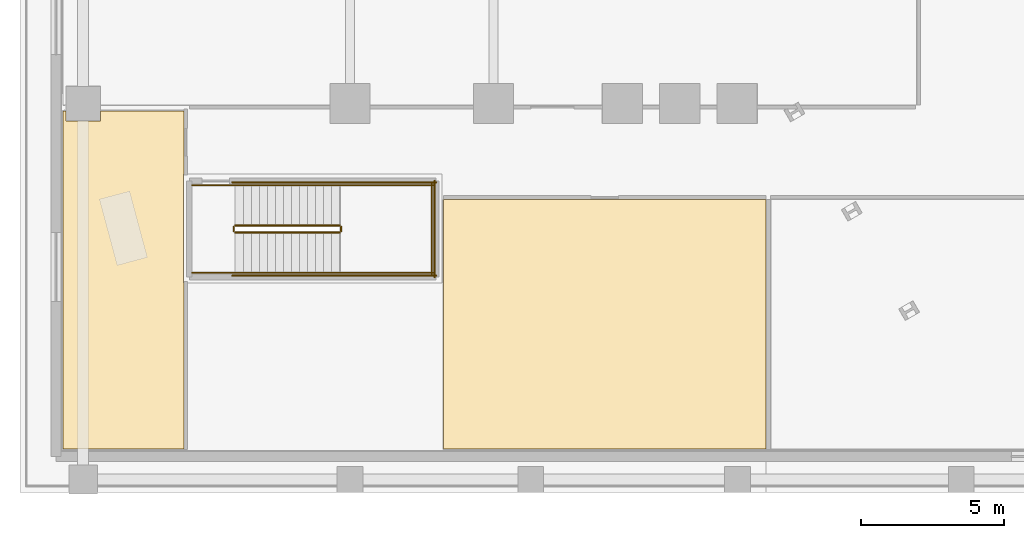
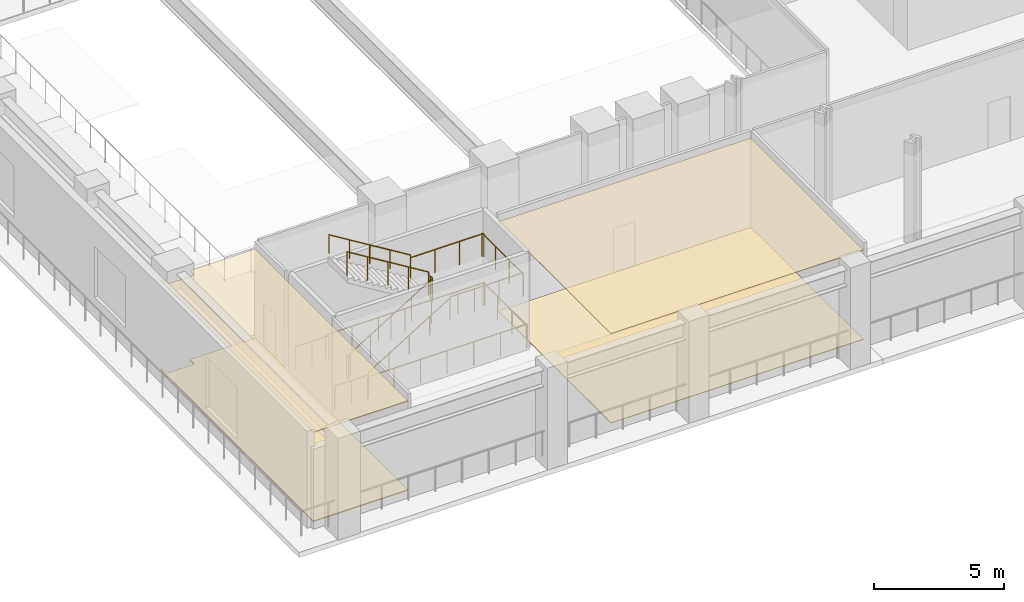
# One storey, part 9 of 19: 14 railings, 4 coverings.
"""IFC4 building model written with IfcOpenShell, lengths in metres."""

import ifcopenshell
import ifcopenshell.guid

model = None  # the IFC model being written
_history = None  # IfcOwnerHistory: only IFC2X3 demands one
_inside = {}  # id of a spatial element -> (the spatial element, [elements in it])
_under = {}  # id of a project, library or spatial element -> (it, [spatial elements below it])
_declared = {}  # id of a project -> (the project, [libraries it declares])
_typed = {}  # id of a type object -> (the type object, [elements of that type])
_made_of = {}  # id of a material, layer set ... -> (it, [elements and type objects made of it])


def new_model(schema):
    """Start an empty IFC model of exactly this schema.

    Asked for "IFC4X3", IfcOpenShell would pick the latest addendum, in which some entities
    have other attributes; the version numbers below select the first issue.
    IFC2X3 requires an IfcOwnerHistory on every rooted entity: one is made here for all.
    """
    global model, _history
    if schema == "IFC4X3":
        model = ifcopenshell.file(schema_version=(4, 3, 0, 0))
    else:
        model = ifcopenshell.file(schema=schema)
    _inside.clear()
    _under.clear()
    _declared.clear()
    _typed.clear()
    _made_of.clear()
    _history = None
    if model.schema == "IFC2X3":
        org = make("IfcOrganization", Name="unknown")
        user = make(
            "IfcPersonAndOrganization",
            ThePerson=make("IfcPerson", FamilyName="unknown"),
            TheOrganization=org,
        )
        app = make(
            "IfcApplication",
            ApplicationDeveloper=org,
            Version="unknown",
            ApplicationFullName="unknown",
            ApplicationIdentifier="unknown",
        )
        _history = make(
            "IfcOwnerHistory",
            OwningUser=user,
            OwningApplication=app,
            ChangeAction="ADDED",
            CreationDate=0,
        )
    return model


def make(cls, **values):
    """One entity of the class cls with the attributes given. An attribute that is None is left unset."""
    return model.create_entity(
        cls, **{name: value for name, value in values.items() if value is not None}
    )


def rooted(cls, **values):
    """An entity with a GlobalId (a new one), such as an element, a storey or a relation."""
    return make(cls, GlobalId=ifcopenshell.guid.new(), OwnerHistory=_history, **values)


def si_unit(unit_type, name, prefix=None):
    """IfcSIUnit, for example si_unit("LENGTHUNIT", "METRE", prefix="MILLI")."""
    return make("IfcSIUnit", UnitType=unit_type, Prefix=prefix, Name=name)


def assignment(units):
    """IfcUnitAssignment: the units of a project."""
    return None if units is None else make("IfcUnitAssignment", Units=units)


def point(xyz):
    """IfcCartesianPoint."""
    return None if xyz is None else make("IfcCartesianPoint", Coordinates=xyz)


def direction(xyz):
    """IfcDirection."""
    return None if xyz is None else make("IfcDirection", DirectionRatios=xyz)


def frame(location, z_axis=None, x_axis=None):
    """IfcAxis2Placement3D, a coordinate frame: its origin and axes. An axis left out is left unset."""
    return make(
        "IfcAxis2Placement3D",
        Location=point(location),
        Axis=direction(z_axis),
        RefDirection=direction(x_axis),
    )


def frame_2d(location, x_axis=None):
    """IfcAxis2Placement2D, a coordinate frame in the plane: its origin and x axis."""
    return make(
        "IfcAxis2Placement2D", Location=point(location), RefDirection=direction(x_axis)
    )


def origin():
    """The frame at (0, 0, 0) with its axes left unset."""
    return frame((0.0, 0.0, 0.0))


def origin_2d():
    """The frame at (0, 0) in the plane with its x axis left unset."""
    return frame_2d((0.0, 0.0))


def place(relative_to, where):
    """IfcLocalPlacement: puts the frame where relative to a parent placement (None: the world)."""
    return make(
        "IfcLocalPlacement", PlacementRelTo=relative_to, RelativePlacement=where
    )


def context(
    kind, dimensions, precision=None, world=None, true_north=None, identifier=None
):
    """IfcGeometricRepresentationContext, for example the 3D "Model" context."""
    return make(
        "IfcGeometricRepresentationContext",
        ContextIdentifier=identifier,
        ContextType=kind,
        CoordinateSpaceDimension=dimensions,
        Precision=precision,
        WorldCoordinateSystem=world,
        TrueNorth=true_north,
    )


def subcontext(parent, identifier, kind, view, scale=None):
    """IfcGeometricRepresentationSubContext, for example "Body" below "Model"."""
    return make(
        "IfcGeometricRepresentationSubContext",
        ContextIdentifier=identifier,
        ContextType=kind,
        ParentContext=parent,
        TargetScale=scale,
        TargetView=view,
    )


def project(units=None, contexts=None):
    """IfcProject with its units and contexts."""
    return rooted(
        "IfcProject",
        Name="project",
        RepresentationContexts=contexts,
        UnitsInContext=assignment(units),
    )


def spatial(cls, under=None, at=None, **own):
    """A site, building, storey or space (cls), placed at a placement, below another one or the project."""
    s = rooted(cls, ObjectPlacement=at, **own)
    if under is not None:
        _under.setdefault(under.id(), (under, []))[1].append(s)
    return s


def polyline(points):
    """IfcPolyline through the points."""
    return make("IfcPolyline", Points=[point(p) for p in points])


def profile(cls, at=None, kind="AREA", **sizes):
    """A parametric profile (cls). Its sizes go by their IFC names, for example OverallWidth=200.0."""
    return make(cls, ProfileType=kind, Position=at, **sizes)


def circle(**sizes):
    """IfcCircleProfileDef."""
    return profile("IfcCircleProfileDef", **sizes)


def outline(outer, holes=None, kind="AREA"):
    """IfcArbitraryClosedProfileDef: a profile drawn as a closed curve; with holes, ...WithVoids."""
    if holes is None:
        return make("IfcArbitraryClosedProfileDef", ProfileType=kind, OuterCurve=outer)
    return make(
        "IfcArbitraryProfileDefWithVoids",
        ProfileType=kind,
        OuterCurve=outer,
        InnerCurves=holes,
    )


def extrude(swept, where, along, depth):
    """IfcExtrudedAreaSolid: the profile swept, set in the frame where, extruded along a direction by depth."""
    return make(
        "IfcExtrudedAreaSolid",
        SweptArea=swept,
        Position=where,
        ExtrudedDirection=direction(along),
        Depth=depth,
    )


def shape(context_of_items, identifier, shape_type, items):
    """IfcShapeRepresentation: the items that make up one representation, for example the "Body"."""
    return make(
        "IfcShapeRepresentation",
        ContextOfItems=context_of_items,
        RepresentationIdentifier=identifier,
        RepresentationType=shape_type,
        Items=items,
    )


def material(Name=None, Category=None):
    """IfcMaterial."""
    return make("IfcMaterial", Name=Name, Category=Category)


def layer(
    of_material, thickness, ventilated=None, Name=None, Category=None, Priority=None
):
    """IfcMaterialLayer: one layer of a wall or slab, of a material (None: an air gap)."""
    return make(
        "IfcMaterialLayer",
        Material=of_material,
        LayerThickness=thickness,
        IsVentilated=ventilated,
        Name=Name,
        Category=Category,
        Priority=Priority,
    )


def layer_set(layers, Name=None):
    """IfcMaterialLayerSet."""
    return make("IfcMaterialLayerSet", MaterialLayers=layers, LayerSetName=Name)


def made_of(thing, what):
    """Note that an element or type object is made of a material, layer set ...; save() writes the relation."""
    if what is not None:
        _made_of.setdefault(what.id(), (what, []))[1].append(thing)
    return thing


def type_object(cls, material=None, **own):
    """A type object (cls), such as IfcWallType, which elements share."""
    return made_of(rooted(cls, **own), material)


def element(
    cls,
    number,
    at=None,
    inside=None,
    cuts=None,
    type_object=None,
    material=None,
    context=None,
    identifier="Body",
    shape_type=None,
    held_by="IfcProductDefinitionShape",
    body=None,
    shapes=None,
    **own,
):
    """One element of the class cls, such as IfcWall. Its Tag is "e" and its number.

    at: its placement. inside: the storey or other place that contains it. cuts: it is an
    opening in that element (IfcRelVoidsElement). A single representation is given by context,
    identifier, shape_type and body (its items); several are given by shapes. held_by: the class
    of the entity that holds the representations. save() writes the other relations.
    """
    e = rooted(cls, Tag="e%d" % number, ObjectPlacement=at, **own)
    if body is not None:
        shapes = [shape(context, identifier, shape_type, body)]
    if shapes is not None:
        e.Representation = make(held_by, Representations=shapes)
    if inside is not None:
        _inside.setdefault(inside.id(), (inside, []))[1].append(e)
    if cuts is not None:
        rooted(
            "IfcRelVoidsElement", RelatingBuildingElement=cuts, RelatedOpeningElement=e
        )
    if type_object is not None:
        _typed.setdefault(type_object.id(), (type_object, []))[1].append(e)
    return made_of(e, material)


def aggregate(whole, parts):
    """IfcRelAggregates: a whole, such as a stair, and the parts it consists of."""
    return rooted("IfcRelAggregates", RelatingObject=whole, RelatedObjects=parts)


def save(model, path):
    """Write the relations noted so far, then the file.

    IfcRelAggregates (storeys below a building ...), IfcRelContainedInSpatialStructure (elements
    in a storey), IfcRelDefinesByType, IfcRelAssociatesMaterial and IfcRelDeclares: one each for
    every whole, place, type object, material and project.
    """
    for whole, parts in _under.values():
        aggregate(whole, parts)
    for where, things in _inside.values():
        rooted(
            "IfcRelContainedInSpatialStructure",
            RelatedElements=things,
            RelatingStructure=where,
        )
    for kind, things in _typed.values():
        rooted("IfcRelDefinesByType", RelatedObjects=things, RelatingType=kind)
    for what, things in _made_of.values():
        rooted("IfcRelAssociatesMaterial", RelatedObjects=things, RelatingMaterial=what)
    for by, libraries in _declared.values():
        rooted("IfcRelDeclares", RelatingContext=by, RelatedDefinitions=libraries)
    model.write(path)


model = new_model("IFC4")

# Units and contexts
model_context = context("Model", 3, precision=1e-05, world=origin(), true_north=direction((0.0, 1.0)))
body_context = subcontext(model_context, "Body", "Model", "MODEL_VIEW")
ifc_project = project(units=[si_unit("LENGTHUNIT", "METRE"), si_unit("AREAUNIT", "SQUARE_METRE"), si_unit("VOLUMEUNIT", "CUBIC_METRE"), si_unit("PLANEANGLEUNIT", "RADIAN"), si_unit("MASSUNIT", "GRAM", prefix="KILO")], contexts=[model_context])

# Site, building, storey
site_placement = place(None, origin())
site = spatial("IfcSite", under=ifc_project, at=site_placement, CompositionType="ELEMENT")
building_placement = place(site_placement, origin())
building = spatial("IfcBuilding", under=site, at=building_placement, Name="Valkerne Bourse Tower", CompositionType="ELEMENT")
storey_placement = place(building_placement, frame((0.0, 0.0, 5.39990234375)))
storey = spatial("IfcBuildingStorey", under=building, at=storey_placement, Name="L01", CompositionType="ELEMENT", Elevation=5.39990234375)

# Coverings
ifc_material_1 = material(Name="Mineral Fiber Acoustic Ceiling Tile", Category="acoustic")
ifc_layer_1 = layer(ifc_material_1, 0.02490234375)
ifc_layer_set_1 = layer_set([ifc_layer_1], Name="Mineral Fiber Acoustic Ceiling Tile")
covering_type_1 = type_object("IfcCoveringType", Name="COV-CEIL-ACT", PredefinedType="CEILING", material=ifc_layer_set_1)
covering_1_placement = place(storey_placement, frame((0.0, 0.0, 4.210205078125)))
element("IfcCovering", 1, at=covering_1_placement, inside=storey, type_object=covering_type_1, Name="L01 Suspended Ceiling 02", PredefinedType="CEILING", context=body_context, shape_type="SweptSolid", body=[
    extrude(outline(polyline([(1.50390625, 13.2958984375), (1.595947265625, 13.2958984375), (1.595947265625, 12.946044921875), (2.803955078125, 12.946044921875), (2.803955078125, 13.2958984375), (5.716064453125, 13.2958984375), (5.716064453125, 11.10009765625), (5.699951171875, 11.10009765625), (5.699951171875, 7.300048828125), (5.716064453125, 7.300048828125), (5.716064453125, 1.50390625), (1.50390625, 1.50390625), (1.50390625, 13.2958984375)])), origin(), (0.0, 0.0, 1.0), 0.02490234375),
])
covering_2_placement = place(storey_placement, frame((0.0, 0.0, 4.210205078125)))
element("IfcCovering", 2, at=covering_2_placement, inside=storey, type_object=covering_type_1, Name="L01 Suspended Ceiling 03", PredefinedType="CEILING", context=body_context, shape_type="SweptSolid", body=[
    extrude(outline(polyline([(14.75390625, 10.196044921875), (25.99609375, 10.196044921875), (25.99609375, 1.50390625), (14.75390625, 1.50390625), (14.75390625, 10.196044921875)])), origin(), (0.0, 0.0, 1.0), 0.02490234375),
])
ifc_material_2 = material(Name="Galvanised Painted Steel", Category="steel")
ifc_layer_2 = layer(ifc_material_2, 0.044921875)
ifc_layer_set_2 = layer_set([ifc_layer_2], Name="Galvanised Painted Steel")
covering_type_2 = type_object("IfcCoveringType", Name="COV-FLR-RAF", PredefinedType="FLOORING", material=ifc_layer_set_2)
covering_3_placement = place(storey_placement, origin())
element("IfcCovering", 3, at=covering_3_placement, inside=storey, type_object=covering_type_2, Name="L01 Floor Finish 02", PredefinedType="FLOORING", context=body_context, shape_type="SweptSolid", body=[
    extrude(outline(polyline([(1.50390625, 13.2958984375), (1.595947265625, 13.2958984375), (1.595947265625, 12.946044921875), (2.803955078125, 12.946044921875), (2.803955078125, 13.2958984375), (5.716064453125, 13.2958984375), (5.716064453125, 11.10009765625), (5.699951171875, 11.10009765625), (5.699951171875, 7.300048828125), (5.716064453125, 7.300048828125), (5.716064453125, 1.50390625), (1.50390625, 1.50390625), (1.50390625, 13.2958984375)])), origin(), (0.0, 0.0, 1.0), 0.045166015625),
])
ifc_material_3 = material(Name="Polished Granite Stone", Category="masonry")
ifc_layer_3 = layer(ifc_material_3, 0.030029296875)
ifc_layer_set_3 = layer_set([ifc_layer_3], Name="Polished Granite Stone")
covering_type_3 = type_object("IfcCoveringType", Name="COV-FLR-TERRAZZO", PredefinedType="FLOORING", material=ifc_layer_set_3)
covering_4_placement = place(storey_placement, origin())
element("IfcCovering", 4, at=covering_4_placement, inside=storey, type_object=covering_type_3, Name="L01 Floor Finish 03", PredefinedType="FLOORING", context=body_context, shape_type="SweptSolid", body=[
    extrude(outline(polyline([(14.75390625, 10.196044921875), (25.99609375, 10.196044921875), (25.99609375, 1.50390625), (14.75390625, 1.50390625), (14.75390625, 10.196044921875)])), origin(), (0.0, 0.0, 1.0), 0.030029296875),
])

# Railings
railing_type_1 = type_object("IfcRailingType", Name="RLG-ST-GUARD-1120", PredefinedType="GUARDRAIL", material=ifc_material_2)
railing_1_placement = place(storey_placement, frame((7.5, 9.050048828125, 0.171630859375)))
element("IfcRailing", 5, at=railing_1_placement, inside=storey, type_object=railing_type_1, Name="L01 ST-P1 stair guard 1", PredefinedType="GUARDRAIL", context=body_context, shape_type="SweptSolid", body=[
    extrude(circle(Radius=0.02392578125, at=origin_2d()), frame((0.0, 0.0, 1.09619140625), z_axis=(0.852850264322, 0.0, 0.5221555579), x_axis=(0.0, 1.0, 0.0)), (0.0, 0.0, 1.0), 4.267822265625),
    extrude(circle(Radius=0.02099609375, at=origin_2d()), origin(), (0.0, 0.0, 1.0), 1.072021484375),
    extrude(circle(Radius=0.02099609375, at=origin_2d()), frame((0.909912109375, 0.0, 0.55712890625)), (0.0, 0.0, 1.0), 1.072021484375),
    extrude(circle(Radius=0.02099609375, at=origin_2d()), frame((1.81982421875, 0.0, 1.1142578125)), (0.0, 0.0, 1.0), 1.072021484375),
    extrude(circle(Radius=0.02099609375, at=origin_2d()), frame((2.72998046875, 0.0, 1.67138671875)), (0.0, 0.0, 1.0), 1.072021484375),
    extrude(circle(Radius=0.02099609375, at=origin_2d()), frame((3.639892578125, 0.0, 2.228515625)), (0.0, 0.0, 1.0), 1.072021484375),
])
railing_2_placement = place(storey_placement, frame((11.18994140625, 9.10009765625, 2.400146484375)))
element("IfcRailing", 6, at=railing_2_placement, inside=storey, type_object=railing_type_1, Name="L01 ST-P1 stair guard 2", PredefinedType="GUARDRAIL", context=body_context, shape_type="SweptSolid", body=[
    extrude(circle(Radius=0.02392578125, at=origin_2d()), frame((0.0, 0.0, 1.09619140625), z_axis=(0.0, 1.0, 0.0), x_axis=(-1.0, 0.0, 0.0)), (0.0, 0.0, 1.0), 0.14990234375),
    extrude(circle(Radius=0.02099609375, at=origin_2d()), origin(), (0.0, 0.0, 1.0), 1.072021484375),
    extrude(circle(Radius=0.02099609375, at=origin_2d()), frame((0.0, 0.14990234375, 0.0)), (0.0, 0.0, 1.0), 1.072021484375),
])
for number, where, name in (
    (7, (11.139892578125, 7.64990234375, 2.400146484375), "L01 ST-P1 stair guard 3"),
    (8, (11.139892578125, 10.699951171875, 2.400146484375), "L01 ST-P1 stair guard 4"),
):
    element("IfcRailing", number, at=place(storey_placement, frame(where)), inside=storey, type_object=railing_type_1, Name=name, PredefinedType="GUARDRAIL", context=body_context, shape_type="SweptSolid", body=[
        extrude(circle(Radius=0.02392578125, at=origin_2d()), frame((0.0, 0.0, 1.09619140625), z_axis=(1.0, 0.0, 0.0), x_axis=(0.0, 1.0, 0.0)), (0.0, 0.0, 1.0), 3.260009765625),
        extrude(circle(Radius=0.02099609375, at=origin_2d()), origin(), (0.0, 0.0, 1.0), 1.072021484375),
        extrude(circle(Radius=0.02099609375, at=origin_2d()), frame((1.086669921875, 0.0, 0.0)), (0.0, 0.0, 1.0), 1.072021484375),
        extrude(circle(Radius=0.02099609375, at=origin_2d()), frame((2.17333984375, 0.0, 0.0)), (0.0, 0.0, 1.0), 1.072021484375),
        extrude(circle(Radius=0.02099609375, at=origin_2d()), frame((3.260009765625, 0.0, 0.0)), (0.0, 0.0, 1.0), 1.072021484375),
    ])
railing_3_placement = place(storey_placement, frame((14.35009765625, 7.60009765625, 2.400146484375)))
element("IfcRailing", 9, at=railing_3_placement, inside=storey, type_object=railing_type_1, Name="L01 ST-P1 stair guard 5", PredefinedType="GUARDRAIL", context=body_context, shape_type="SweptSolid", body=[
    extrude(circle(Radius=0.02392578125, at=origin_2d()), frame((0.0, 0.0, 1.09619140625), z_axis=(0.0, 1.0, 0.0), x_axis=(-1.0, 0.0, 0.0)), (0.0, 0.0, 1.0), 3.14990234375),
    extrude(circle(Radius=0.02099609375, at=origin_2d()), origin(), (0.0, 0.0, 1.0), 1.072021484375),
    extrude(circle(Radius=0.02099609375, at=origin_2d()), frame((0.0, 1.050048828125, 0.0)), (0.0, 0.0, 1.0), 1.072021484375),
    extrude(circle(Radius=0.02099609375, at=origin_2d()), frame((0.0, 2.099853515625, 0.0)), (0.0, 0.0, 1.0), 1.072021484375),
    extrude(circle(Radius=0.02099609375, at=origin_2d()), frame((0.0, 3.14990234375, 0.0)), (0.0, 0.0, 1.0), 1.072021484375),
])
railing_4_placement = place(storey_placement, frame((11.139892578125, 9.300048828125, 2.571533203125)))
element("IfcRailing", 10, at=railing_4_placement, inside=storey, type_object=railing_type_1, Name="L01 ST-P1 stair guard 6", PredefinedType="GUARDRAIL", context=body_context, shape_type="SweptSolid", body=[
    extrude(circle(Radius=0.02392578125, at=origin_2d()), frame((0.0, 0.0, 1.09619140625), z_axis=(-0.852850264322, 0.0, 0.5221555579), x_axis=(0.0, -1.0, 0.0)), (0.0, 0.0, 1.0), 4.267822265625),
    extrude(circle(Radius=0.02099609375, at=origin_2d()), origin(), (0.0, 0.0, 1.0), 1.072021484375),
    extrude(circle(Radius=0.02099609375, at=origin_2d()), frame((-0.909912109375, 0.0, 0.55712890625)), (0.0, 0.0, 1.0), 1.072021484375),
    extrude(circle(Radius=0.02099609375, at=origin_2d()), frame((-1.81982421875, 0.0, 1.1142578125)), (0.0, 0.0, 1.0), 1.072021484375),
    extrude(circle(Radius=0.02099609375, at=origin_2d()), frame((-2.72998046875, 0.0, 1.67138671875)), (0.0, 0.0, 1.0), 1.072021484375),
    extrude(circle(Radius=0.02099609375, at=origin_2d()), frame((-3.639892578125, 0.0, 2.228515625)), (0.0, 0.0, 1.0), 1.072021484375),
])
railing_5_placement = place(storey_placement, frame((7.449951171875, 9.10009765625, 0.0)))
element("IfcRailing", 11, at=railing_5_placement, inside=storey, type_object=railing_type_1, Name="L01 ST-P1 stair guard 7", PredefinedType="GUARDRAIL", context=body_context, shape_type="SweptSolid", body=[
    extrude(circle(Radius=0.02392578125, at=origin_2d()), frame((0.0, 0.0, 1.09619140625), z_axis=(0.0, 1.0, 0.0), x_axis=(-1.0, 0.0, 0.0)), (0.0, 0.0, 1.0), 0.14990234375),
    extrude(circle(Radius=0.02099609375, at=origin_2d()), origin(), (0.0, 0.0, 1.0), 1.072021484375),
    extrude(circle(Radius=0.02099609375, at=origin_2d()), frame((0.0, 0.14990234375, 0.0)), (0.0, 0.0, 1.0), 1.072021484375),
])
for number, where, name in (
    (12, (6.0, 7.64990234375, 0.0), "L01 ST-P1 stair guard 8"),
    (13, (6.0, 10.699951171875, 0.0), "L01 ST-P1 stair guard 9"),
):
    element("IfcRailing", number, at=place(storey_placement, frame(where)), inside=storey, type_object=railing_type_1, Name=name, PredefinedType="GUARDRAIL", context=body_context, shape_type="SweptSolid", body=[
        extrude(circle(Radius=0.02392578125, at=origin_2d()), frame((0.0, 0.0, 1.09619140625), z_axis=(1.0, 0.0, 0.0), x_axis=(0.0, 1.0, 0.0)), (0.0, 0.0, 1.0), 1.5),
        extrude(circle(Radius=0.02099609375, at=origin_2d()), origin(), (0.0, 0.0, 1.0), 1.072021484375),
        extrude(circle(Radius=0.02099609375, at=origin_2d()), frame((0.75, 0.0, 0.0)), (0.0, 0.0, 1.0), 1.072021484375),
        extrude(circle(Radius=0.02099609375, at=origin_2d()), frame((1.5, 0.0, 0.0)), (0.0, 0.0, 1.0), 1.072021484375),
    ])
for number, where, name in (
    (14, (7.39990234375, 7.550048828125, 0.0), "L01 ST-P1 stair guard 10"),
    (15, (7.39990234375, 10.800048828125, 0.0), "L01 ST-P1 stair guard 11"),
):
    element("IfcRailing", number, at=place(storey_placement, frame(where)), inside=storey, type_object=railing_type_1, Name=name, PredefinedType="GUARDRAIL", context=body_context, shape_type="SweptSolid", body=[
        extrude(circle(Radius=0.02392578125, at=origin_2d()), frame((0.0, 0.0, 1.09619140625), z_axis=(1.0, 0.0, 0.0), x_axis=(0.0, 1.0, 0.0)), (0.0, 0.0, 1.0), 7.10009765625),
        extrude(circle(Radius=0.02099609375, at=origin_2d()), origin(), (0.0, 0.0, 1.0), 1.072021484375),
        extrude(circle(Radius=0.02099609375, at=origin_2d()), frame((1.183349609375, 0.0, 0.0)), (0.0, 0.0, 1.0), 1.072021484375),
        extrude(circle(Radius=0.02099609375, at=origin_2d()), frame((2.36669921875, 0.0, 0.0)), (0.0, 0.0, 1.0), 1.072021484375),
        extrude(circle(Radius=0.02099609375, at=origin_2d()), frame((3.550048828125, 0.0, 0.0)), (0.0, 0.0, 1.0), 1.072021484375),
        extrude(circle(Radius=0.02099609375, at=origin_2d()), frame((4.7333984375, 0.0, 0.0)), (0.0, 0.0, 1.0), 1.072021484375),
        extrude(circle(Radius=0.02099609375, at=origin_2d()), frame((5.916748046875, 0.0, 0.0)), (0.0, 0.0, 1.0), 1.072021484375),
        extrude(circle(Radius=0.02099609375, at=origin_2d()), frame((7.10009765625, 0.0, 0.0)), (0.0, 0.0, 1.0), 1.072021484375),
    ])
railing_6_placement = place(storey_placement, frame((14.449951171875, 7.5, 0.0)))
element("IfcRailing", 16, at=railing_6_placement, inside=storey, type_object=railing_type_1, Name="L01 ST-P1 stair guard 12", PredefinedType="GUARDRAIL", context=body_context, shape_type="SweptSolid", body=[
    extrude(circle(Radius=0.02392578125, at=origin_2d()), frame((0.0, 0.0, 1.09619140625), z_axis=(0.0, 1.0, 0.0), x_axis=(-1.0, 0.0, 0.0)), (0.0, 0.0, 1.0), 3.35009765625),
    extrude(circle(Radius=0.02099609375, at=origin_2d()), origin(), (0.0, 0.0, 1.0), 1.072021484375),
    extrude(circle(Radius=0.02099609375, at=origin_2d()), frame((0.0, 1.11669921875, 0.0)), (0.0, 0.0, 1.0), 1.072021484375),
    extrude(circle(Radius=0.02099609375, at=origin_2d()), frame((0.0, 2.2333984375, 0.0)), (0.0, 0.0, 1.0), 1.072021484375),
    extrude(circle(Radius=0.02099609375, at=origin_2d()), frame((0.0, 3.35009765625, 0.0)), (0.0, 0.0, 1.0), 1.072021484375),
])
ifc_material_4 = material(Name="Stainless Steel AISI 316", Category="steel")
railing_type_2 = type_object("IfcRailingType", Name="RLG-ST-HANDRAIL-900", PredefinedType="HANDRAIL", material=ifc_material_4)
railing_7_placement = place(storey_placement, frame((7.5, 7.64990234375, 0.343017578125)))
element("IfcRailing", 17, at=railing_7_placement, inside=storey, type_object=railing_type_2, Name="L01 ST-P1 stair handrail 1", PredefinedType="HANDRAIL", context=body_context, shape_type="SweptSolid", body=[
    extrude(circle(Radius=0.02392578125, at=origin_2d()), frame((0.0, 0.0, 0.8759765625), z_axis=(0.852850264322, 0.0, 0.5221555579), x_axis=(0.0, 1.0, 0.0)), (0.0, 0.0, 1.0), 4.267822265625),
    extrude(circle(Radius=0.02099609375, at=origin_2d()), origin(), (0.0, 0.0, 1.0), 0.851806640625),
    extrude(circle(Radius=0.02099609375, at=origin_2d()), frame((0.909912109375, 0.0, 0.55712890625)), (0.0, 0.0, 1.0), 0.851806640625),
    extrude(circle(Radius=0.02099609375, at=origin_2d()), frame((1.81982421875, 0.0, 1.1142578125)), (0.0, 0.0, 1.0), 0.851806640625),
    extrude(circle(Radius=0.02099609375, at=origin_2d()), frame((2.72998046875, 0.0, 1.67138671875)), (0.0, 0.0, 1.0), 0.851806640625),
    extrude(circle(Radius=0.02099609375, at=origin_2d()), frame((3.639892578125, 0.0, 2.228515625)), (0.0, 0.0, 1.0), 0.851806640625),
])
railing_8_placement = place(storey_placement, frame((11.139892578125, 10.699951171875, 2.742919921875)))
element("IfcRailing", 18, at=railing_8_placement, inside=storey, type_object=railing_type_2, Name="L01 ST-P1 stair handrail 2", PredefinedType="HANDRAIL", context=body_context, shape_type="SweptSolid", body=[
    extrude(circle(Radius=0.02392578125, at=origin_2d()), frame((0.0, 0.0, 0.8759765625), z_axis=(-0.852850264322, 0.0, 0.5221555579), x_axis=(0.0, -1.0, 0.0)), (0.0, 0.0, 1.0), 4.267822265625),
    extrude(circle(Radius=0.02099609375, at=origin_2d()), origin(), (0.0, 0.0, 1.0), 0.851806640625),
    extrude(circle(Radius=0.02099609375, at=origin_2d()), frame((-0.909912109375, 0.0, 0.55712890625)), (0.0, 0.0, 1.0), 0.851806640625),
    extrude(circle(Radius=0.02099609375, at=origin_2d()), frame((-1.81982421875, 0.0, 1.1142578125)), (0.0, 0.0, 1.0), 0.851806640625),
    extrude(circle(Radius=0.02099609375, at=origin_2d()), frame((-2.72998046875, 0.0, 1.67138671875)), (0.0, 0.0, 1.0), 0.851806640625),
    extrude(circle(Radius=0.02099609375, at=origin_2d()), frame((-3.639892578125, 0.0, 2.228515625)), (0.0, 0.0, 1.0), 0.851806640625),
])

save(model, "model.ifc")
